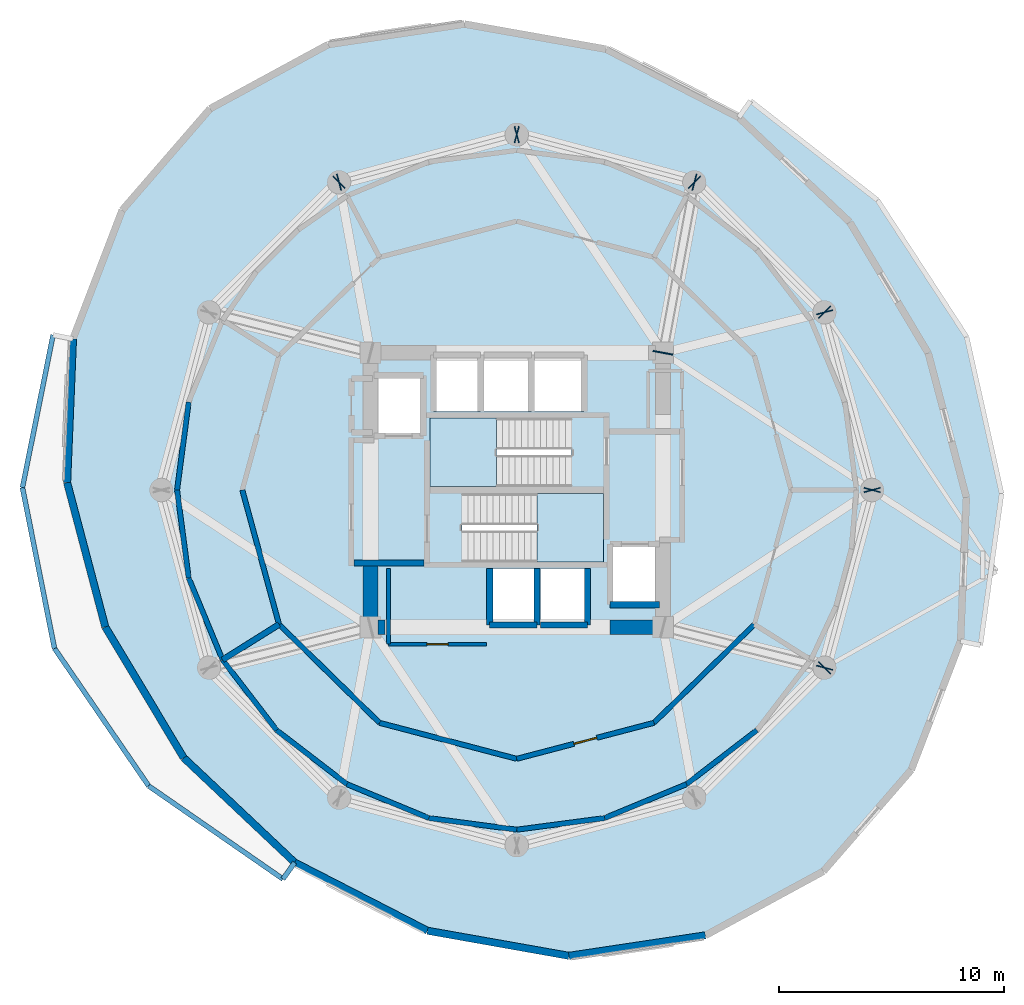
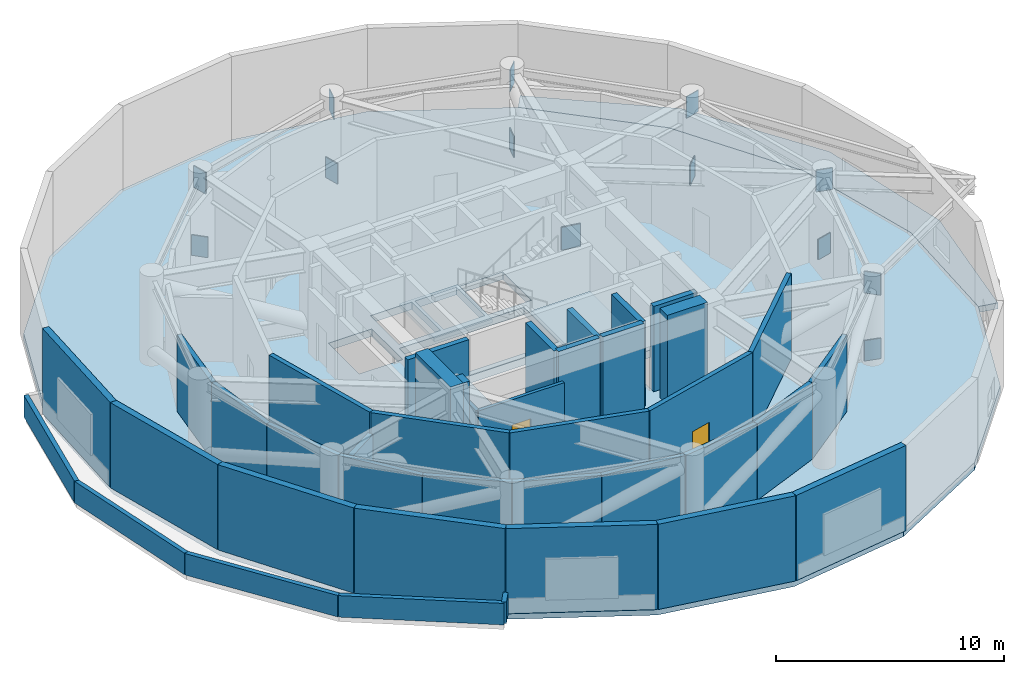
# One storey, part 2 of 7: 40 walls, 13 plates, 4 slabs, 2 doors, 2 openings, 2 elements without a shape of their own.
"""IFC4 building model written with IfcOpenShell, lengths in metres."""

from ifc_helpers import new_model, si_unit, direction, frame, frame_2d, origin, origin_2d, place, context, subcontext, project, spatial, polyline, rectangle, outline, extrude, material, layer, layer_set, type_object, element, fill, aggregate, save


model = new_model("IFC4")

# Units and contexts
model_context = context("Model", 3, precision=1e-05, world=origin(), true_north=direction((0.0, 1.0)))
body_context = subcontext(model_context, "Body", "Model", "MODEL_VIEW")
ifc_project = project(units=[si_unit("LENGTHUNIT", "METRE"), si_unit("AREAUNIT", "SQUARE_METRE"), si_unit("VOLUMEUNIT", "CUBIC_METRE"), si_unit("PLANEANGLEUNIT", "RADIAN"), si_unit("MASSUNIT", "GRAM", prefix="KILO")], contexts=[model_context])

# Site, building, storey
site_placement = place(None, origin())
site = spatial("IfcSite", under=ifc_project, at=site_placement, CompositionType="ELEMENT")
building_placement = place(site_placement, origin())
building = spatial("IfcBuilding", under=site, at=building_placement, Name="Solvirekh Grand Hotel", CompositionType="ELEMENT")
storey_placement = place(building_placement, frame((0.0, 0.0, 163.800048828125)))
storey = spatial("IfcBuildingStorey", under=building, at=storey_placement, Name="L42", CompositionType="ELEMENT", Elevation=163.800048828125)

# Plates
ifc_material_1 = material(Name="Steel S460", Category="steel")
ifc_layer_1 = layer(ifc_material_1, 0.044921875)
ifc_layer_set_1 = layer_set([ifc_layer_1], Name="Steel S460")
plate_type_1 = type_object("IfcPlateType", Name="GussetPlate_45", PredefinedType="USERDEFINED", material=ifc_layer_set_1)
for number, where, z_axis, x_axis, name in (
    (1, (15.800048828125, 0.0, -0.06103515625), (0.0, 0.0, 1.0), (-0.258819045103, 0.965925826289, 0.0), "L42 hollow-section node plate GP-L42-BELT-01A"),
    (2, (13.68310546875, 7.89990234375, 3.52099609375), (0.0, 0.0, 1.0), (-0.258819045103, 0.965925826289, 0.0), "L42 hollow-section node plate GP-L42-BELT-01B"),
    (3, (13.68310546875, 7.89990234375, -0.06103515625), (0.0, 0.0, 1.0), (-0.707106781187, 0.707106781187, 0.0), "L42 hollow-section node plate GP-L42-BELT-02A"),
    (4, (7.89990234375, 13.68310546875, 3.52099609375), (0.0, 0.0, 1.0), (-0.707106781187, 0.707106781187, 0.0), "L42 hollow-section node plate GP-L42-BELT-02B"),
    (5, (7.89990234375, 13.68310546875, -0.06103515625), (0.0, 0.0, 1.0), (-0.965925826289, 0.258819045103, 0.0), "L42 hollow-section node plate GP-L42-BELT-03A"),
    (6, (0.0, 15.800048828125, 3.52099609375), (0.0, 0.0, 1.0), (-0.965925826289, 0.258819045103, 0.0), "L42 hollow-section node plate GP-L42-BELT-03B"),
    (7, (0.0, 15.800048828125, -0.06103515625), (0.0, 0.0, 1.0), (-0.965925826289, -0.258819045103, 0.0), "L42 hollow-section node plate GP-L42-BELT-04A"),
    (8, (-7.89990234375, 13.68310546875, 3.52099609375), (0.0, 0.0, 1.0), (-0.965925826289, -0.258819045103, 0.0), "L42 hollow-section node plate GP-L42-BELT-04B"),
    (9, (-7.89990234375, 13.68310546875, -0.06103515625), (0.0, 0.0, 1.0), (-0.707106781187, -0.707106781187, 0.0), "L42 hollow-section node plate GP-L42-BELT-05A"),
    (10, (13.68310546875, -7.89990234375, 3.52099609375), (0.0, 0.0, 1.0), (0.707106781187, 0.707106781187, 0.0), "L42 hollow-section node plate GP-L42-BELT-11B"),
    (11, (13.68310546875, -7.89990234375, -0.06103515625), (0.0, 0.0, 1.0), (0.258819045103, 0.965925826289, 0.0), "L42 hollow-section node plate GP-L42-BELT-12A"),
    (12, (15.800048828125, 0.0, 3.52099609375), (0.0, 0.0, 1.0), (0.258819045103, 0.965925826289, 0.0), "L42 hollow-section node plate GP-L42-BELT-12B"),
):
    element("IfcPlate", number, at=place(storey_placement, frame(where, z_axis=z_axis, x_axis=x_axis)), inside=storey, type_object=plate_type_1, Name=name, ObjectType="GUSSET PLATE", PredefinedType="USERDEFINED", context=body_context, shape_type="SweptSolid", body=[
        extrude(rectangle(XDim=0.044921875, YDim=0.75, at=origin_2d()), origin(), (0.0, 0.0, 1.0), 1.14990234375),
    ])
ifc_layer_2 = layer(ifc_material_1, 0.06005859375)
ifc_layer_set_2 = layer_set([ifc_layer_2], Name="Steel S460")
plate_type_2 = type_object("IfcPlateType", Name="GussetPlate_60", PredefinedType="USERDEFINED", material=ifc_layer_set_2)
plate_placement = place(storey_placement, frame((6.5, 6.10009765625, -0.18603515625), z_axis=(0.0, 0.0, 1.0), x_axis=(0.181549039717, 0.983381892338, 0.0)))
element("IfcPlate", 13, at=plate_placement, inside=storey, type_object=plate_type_2, Name="L42 hollow-section node plate GP-L42-OUTR-03A", ObjectType="GUSSET PLATE", PredefinedType="USERDEFINED", context=body_context, shape_type="SweptSolid", body=[
    extrude(rectangle(XDim=0.06005859375, YDim=0.89990234375, at=origin_2d()), origin(), (0.0, 0.0, 1.0), 1.39990234375),
])

# Stair, slab
ifc_material_2 = material(Name="Concrete C40/50", Category="concrete")
stair_type = type_object("IfcStairType", Name="Stair_Core_1450", PredefinedType="HALF_TURN_STAIR", material=ifc_material_2)
stair_1_placement = place(storey_placement, origin())
stair_1 = element("IfcStair", 14, at=stair_1_placement, inside=storey, type_object=stair_type, Name="L42 Enclosed exit stair ST-1", PredefinedType="HALF_TURN_STAIR")
ifc_layer_3 = layer(ifc_material_2, 0.199951171875)
ifc_layer_set_3 = layer_set([ifc_layer_3], Name="Concrete C40/50")
slab_type_1 = type_object("IfcSlabType", Name="Landing_Stair_200", PredefinedType="LANDING", material=ifc_layer_set_3)
slab_1_placement = place(storey_placement, frame((0.0, 0.0, 2.199951171875)))
slab_1 = element("IfcSlab", 15, at=slab_1_placement, type_object=slab_type_1, Name="ST-1 landing 1", PredefinedType="LANDING", context=body_context, shape_type="SweptSolid", body=[
    extrude(outline(polyline([(0.909912109375, -3.199951171875), (3.85009765625, -3.199951171875), (3.85009765625, -0.14990234375), (0.909912109375, -0.14990234375), (0.909912109375, -3.199951171875)])), origin(), (0.0, 0.0, 1.0), 0.199951171875),
])
aggregate(stair_1, [slab_1])

stair_2_placement = place(storey_placement, origin())
stair_2 = element("IfcStair", 16, at=stair_2_placement, inside=storey, type_object=stair_type, Name="L42 Enclosed exit stair ST-2", PredefinedType="HALF_TURN_STAIR")
slab_2_placement = place(storey_placement, frame((0.0, 0.0, 2.199951171875)))
slab_2 = element("IfcSlab", 17, at=slab_2_placement, type_object=slab_type_1, Name="ST-2 landing 1", PredefinedType="LANDING", context=body_context, shape_type="SweptSolid", body=[
    extrude(outline(polyline([(-0.909912109375, 3.199951171875), (-3.85009765625, 3.199951171875), (-3.85009765625, 0.14990234375), (-0.909912109375, 0.14990234375), (-0.909912109375, 3.199951171875)])), origin(), (0.0, 0.0, 1.0), 0.199951171875),
])
aggregate(stair_2, [slab_2])

# Slabs
ifc_material_3 = material(Name="Concrete C50/60", Category="concrete")
ifc_layer_4 = layer(ifc_material_3, 0.320068359375)
ifc_layer_set_4 = layer_set([ifc_layer_4], Name="Concrete C50/60")
slab_type_2 = type_object("IfcSlabType", Name="RoofSlab_Podium_320", PredefinedType="ROOF", material=ifc_layer_set_4)
slab_3_placement = place(storey_placement, frame((0.0, 0.0, -0.320068359375)))
element("IfcSlab", 18, at=slab_3_placement, inside=storey, type_object=slab_type_2, Name="L42 setback mechanical north roof cap", PredefinedType="ROOF", context=body_context, shape_type="SweptSolid", body=[
    extrude(outline(polyline([(20.611083984375, -6.89404296875), (21.552001953125, -0.156005859375), (19.998046875, 6.805908203125), (16.031982421875, 12.889892578125), (10.39208984375, 17.294921875), (9.87109375, 16.56103515625), (14.806884765625, 11.905029296875), (18.2939453125, 6.0849609375), (19.989990234375, -0.33203125), (19.72900390625, -6.715087890625), (20.611083984375, -6.89404296875)])), origin(), (0.0, 0.0, 1.0), 0.320068359375),
])
ifc_layer_5 = layer(ifc_material_3, 0.39990234375)
ifc_layer_set_5 = layer_set([ifc_layer_5], Name="Concrete C50/60")
slab_type_3 = type_object("IfcSlabType", Name="Slab_Plant_400", PredefinedType="FLOOR", material=ifc_layer_set_5)
slab_4_placement = place(storey_placement, frame((0.0, 0.0, -0.400146484375)))
element("IfcSlab", 19, at=slab_4_placement, inside=storey, type_object=slab_type_3, Name="L42 structural floor slab", PredefinedType="FLOOR", context=body_context, shape_type="SweptSolid", body=[
    extrude(outline(polyline([(13.62890625, -16.950927734375), (17.537109375, -12.44189453125), (19.72900390625, -6.715087890625), (19.989990234375, -0.33203125), (18.2939453125, 6.0849609375), (14.806884765625, 11.905029296875), (9.87109375, 16.56103515625), (3.968994140625, 19.594970703125), (-2.322021484375, 20.7109375), (-8.385986328125, 19.800048828125), (-13.62890625, 16.950927734375), (-17.537109375, 12.44189453125), (-19.72900390625, 6.715087890625), (-19.989990234375, 0.33203125), (-18.2939453125, -6.0849609375), (-14.806884765625, -11.905029296875), (-9.87109375, -16.56103515625), (-3.968994140625, -19.594970703125), (2.322021484375, -20.7109375), (8.385986328125, -19.800048828125), (13.62890625, -16.950927734375)]), holes=[polyline([(-2.444091796875, -0.14990234375), (3.85009765625, -0.14990234375), (3.85009765625, -3.199951171875), (-2.444091796875, -3.199951171875), (-2.444091796875, -0.14990234375)]), polyline([(2.444091796875, 0.14990234375), (-3.85009765625, 0.14990234375), (-3.85009765625, 3.199951171875), (2.444091796875, 3.199951171875), (2.444091796875, 0.14990234375)]), polyline([(-1.199951171875, -3.5), (0.89990234375, -3.5), (0.89990234375, -6.0), (-1.199951171875, -6.0), (-1.199951171875, -3.5)]), polyline([(1.050048828125, -3.5), (3.14990234375, -3.5), (3.14990234375, -6.0), (1.050048828125, -6.0), (1.050048828125, -3.5)]), polyline([(-3.699951171875, 6.0), (-1.60009765625, 6.0), (-1.60009765625, 3.5), (-3.699951171875, 3.5), (-3.699951171875, 6.0)]), polyline([(-1.449951171875, 6.0), (0.64990234375, 6.0), (0.64990234375, 3.5), (-1.449951171875, 3.5), (-1.449951171875, 6.0)]), polyline([(0.800048828125, 6.0), (3.0, 6.0), (3.0, 3.5), (0.800048828125, 3.5), (0.800048828125, 6.0)]), polyline([(-6.35009765625, 5.10009765625), (-4.14990234375, 5.10009765625), (-4.14990234375, 2.39990234375), (-6.35009765625, 2.39990234375), (-6.35009765625, 5.10009765625)]), polyline([(4.14990234375, -2.39990234375), (6.35009765625, -2.39990234375), (6.35009765625, -5.10009765625), (4.14990234375, -5.10009765625), (4.14990234375, -2.39990234375)])]), origin(), (0.0, 0.0, 1.0), 0.400146484375),
])

# Walls
ifc_layer_6 = layer(ifc_material_2, 0.280029296875)
ifc_layer_set_6 = layer_set([ifc_layer_6], Name="Concrete C40/50")
wall_type_1 = type_object("IfcWallType", Name="CoreShaftWall_RC280", PredefinedType="SOLIDWALL", material=ifc_layer_set_6)
wall_1_placement = place(storey_placement, frame((-1.199951171875, -6.0, 0.0), z_axis=(0.0, 0.0, 1.0), x_axis=(1.0, 0.0, 0.0)))
element("IfcWall", 20, at=wall_1_placement, inside=storey, type_object=wall_type_1, Name="L42 MP-1 hoistway S wall", PredefinedType="SOLIDWALL", context=body_context, shape_type="SweptSolid", body=[
    extrude(rectangle(XDim=2.099853515625, YDim=0.280029296875, at=frame_2d((1.0498046875, 0.0))), origin(), (0.0, 0.0, 1.0), 4.56005859375),
])
for number, where, z_axis, x_axis, name in (
    (21, (-1.199951171875, -3.5, 0.0), (0.0, 0.0, 1.0), (0.0, -1.0, 0.0), "L42 MP-1 hoistway W wall"),
    (22, (0.89990234375, -6.0, 0.0), (0.0, 0.0, 1.0), (0.0, 1.0, 0.0), "L42 MP-1 hoistway E wall"),
):
    element("IfcWall", number, at=place(storey_placement, frame(where, z_axis=z_axis, x_axis=x_axis)), inside=storey, type_object=wall_type_1, Name=name, PredefinedType="SOLIDWALL", context=body_context, shape_type="SweptSolid", body=[
        extrude(rectangle(XDim=2.5, YDim=0.280029296875, at=frame_2d((1.25, 0.0))), origin(), (0.0, 0.0, 1.0), 4.56005859375),
    ])
wall_2_placement = place(storey_placement, frame((1.050048828125, -6.0, 0.0), z_axis=(0.0, 0.0, 1.0), x_axis=(1.0, 0.0, 0.0)))
element("IfcWall", 23, at=wall_2_placement, inside=storey, type_object=wall_type_1, Name="L42 MP-2 hoistway S wall", PredefinedType="SOLIDWALL", context=body_context, shape_type="SweptSolid", body=[
    extrude(rectangle(XDim=2.099853515625, YDim=0.280029296875, at=frame_2d((1.0498046875, 0.0))), origin(), (0.0, 0.0, 1.0), 4.56005859375),
])
wall_3_placement = place(storey_placement, frame((3.14990234375, -6.0, 0.0), z_axis=(0.0, 0.0, 1.0), x_axis=(0.0, 1.0, 0.0)))
element("IfcWall", 24, at=wall_3_placement, inside=storey, type_object=wall_type_1, Name="L42 MP-2 hoistway E wall", PredefinedType="SOLIDWALL", context=body_context, shape_type="SweptSolid", body=[
    extrude(rectangle(XDim=2.5, YDim=0.280029296875, at=frame_2d((1.25, 0.0))), origin(), (0.0, 0.0, 1.0), 4.56005859375),
])
wall_4_placement = place(storey_placement, frame((4.14990234375, -5.10009765625, 0.0), z_axis=(0.0, 0.0, 1.0), x_axis=(1.0, 0.0, 0.0)))
element("IfcWall", 25, at=wall_4_placement, inside=storey, type_object=wall_type_1, Name="L42 FL-2 hoistway S wall", PredefinedType="SOLIDWALL", context=body_context, shape_type="SweptSolid", body=[
    extrude(rectangle(XDim=2.2001953125, YDim=0.280029296875, at=frame_2d((1.10009765625, 0.0))), origin(), (0.0, 0.0, 1.0), 4.56005859375),
])
ifc_layer_7 = layer(ifc_material_3, 0.64990234375)
ifc_layer_set_7 = layer_set([ifc_layer_7], Name="Concrete C50/60")
wall_type_2 = type_object("IfcWallType", Name="CoreWall_RC650", PredefinedType="SHEAR", material=ifc_layer_set_7)
wall_5_placement = place(storey_placement, frame((-6.175048828125, -6.10009765625, 0.0), z_axis=(0.0, 0.0, 1.0), x_axis=(1.0, 0.0, 0.0)))
element("IfcWall", 26, at=wall_5_placement, inside=storey, type_object=wall_type_2, Name="L42 core corner shear wall SW-S", PredefinedType="SHEAR", context=body_context, shape_type="SweptSolid", body=[
    extrude(rectangle(XDim=0.324951171875, YDim=0.64990234375, at=frame_2d((0.16259765625, 0.0))), origin(), (0.0, 0.0, 1.0), 4.800048828125),
])
wall_6_placement = place(storey_placement, frame((4.14990234375, -6.10009765625, 0.0), z_axis=(0.0, 0.0, 1.0), x_axis=(1.0, 0.0, 0.0)))
element("IfcWall", 27, at=wall_6_placement, inside=storey, type_object=wall_type_2, Name="L42 core corner shear wall SE-S", PredefinedType="SHEAR", context=body_context, shape_type="SweptSolid", body=[
    extrude(rectangle(XDim=2.025146484375, YDim=0.64990234375, at=frame_2d((1.0126953125, 0.0))), origin(), (0.0, 0.0, 1.0), 4.800048828125),
])
wall_7_placement = place(storey_placement, frame((-6.5, -6.425048828125, 0.0), z_axis=(0.0, 0.0, 1.0), x_axis=(0.0, 1.0, 0.0)))
element("IfcWall", 28, at=wall_7_placement, inside=storey, type_object=wall_type_2, Name="L42 core corner shear wall WS-W", PredefinedType="SHEAR", context=body_context, shape_type="SweptSolid", body=[
    extrude(rectangle(XDim=3.074951171875, YDim=0.64990234375, at=frame_2d((1.53759765625, 0.0))), origin(), (0.0, 0.0, 1.0), 4.800048828125),
])
ifc_material_4 = material(Name="Precast concrete C45/55", Category="concrete")
ifc_layer_8 = layer(ifc_material_4, 0.320068359375)
ifc_layer_set_8 = layer_set([ifc_layer_8], Name="Precast concrete C45/55")
wall_type_3 = type_object("IfcWallType", Name="ExtLobbyWall_RC320", PredefinedType="SOLIDWALL", material=ifc_layer_set_8)
wall_8_placement = place(storey_placement, frame((-19.989990234375, 0.33203125, 0.0), z_axis=(0.0, 0.0, 1.0), x_axis=(0.040853224497, 0.999165158544, 0.0)))
element("IfcWall", 29, at=wall_8_placement, inside=storey, type_object=wall_type_3, Name="L42 exterior structural wall chord 13", PredefinedType="SOLIDWALL", context=body_context, shape_type="SweptSolid", body=[
    extrude(rectangle(XDim=6.388427734375, YDim=0.320068359375, at=frame_2d((3.1943359375, 0.0))), origin(), (0.0, 0.0, 1.0), 4.56005859375),
])
wall_9_placement = place(storey_placement, frame((-18.2939453125, -6.0849609375, 0.0), z_axis=(0.0, 0.0, 1.0), x_axis=(-0.255530601314, 0.966800968034, 0.0)))
element("IfcWall", 30, at=wall_9_placement, inside=storey, type_object=wall_type_3, Name="L42 exterior structural wall chord 14", PredefinedType="SOLIDWALL", context=body_context, shape_type="SweptSolid", body=[
    extrude(rectangle(XDim=6.637451171875, YDim=0.320068359375, at=frame_2d((3.31884765625, 0.0))), origin(), (0.0, 0.0, 1.0), 4.56005859375),
])
wall_10_placement = place(storey_placement, frame((-14.806884765625, -11.905029296875, 0.0), z_axis=(0.0, 0.0, 1.0), x_axis=(-0.513955897255, 0.857816609583, 0.0)))
element("IfcWall", 31, at=wall_10_placement, inside=storey, type_object=wall_type_3, Name="L42 exterior structural wall chord 15", PredefinedType="SOLIDWALL", context=body_context, shape_type="SweptSolid", body=[
    extrude(rectangle(XDim=6.78466796875, YDim=0.320068359375, at=frame_2d((3.392333984375, 0.0))), origin(), (0.0, 0.0, 1.0), 4.56005859375),
])
wall_11_placement = place(storey_placement, frame((-9.87109375, -16.56103515625, 0.0), z_axis=(0.0, 0.0, 1.0), x_axis=(-0.727423133158, 0.686189176063, 0.0)))
element("IfcWall", 32, at=wall_11_placement, inside=storey, type_object=wall_type_3, Name="L42 exterior structural wall chord 16", PredefinedType="SOLIDWALL", context=body_context, shape_type="SweptSolid", body=[
    extrude(rectangle(XDim=6.785400390625, YDim=0.320068359375, at=frame_2d((3.392578125, 0.0))), origin(), (0.0, 0.0, 1.0), 4.56005859375),
])
wall_12_placement = place(storey_placement, frame((-3.968994140625, -19.594970703125, 0.0), z_axis=(0.0, 0.0, 1.0), x_axis=(-0.88937542422, 0.457177596558, 0.0)))
element("IfcWall", 33, at=wall_12_placement, inside=storey, type_object=wall_type_3, Name="L42 exterior structural wall chord 17", PredefinedType="SOLIDWALL", context=body_context, shape_type="SweptSolid", body=[
    extrude(rectangle(XDim=6.63623046875, YDim=0.320068359375, at=frame_2d((3.318115234375, 0.0))), origin(), (0.0, 0.0, 1.0), 4.56005859375),
])
wall_13_placement = place(storey_placement, frame((2.322021484375, -20.7109375, 0.0), z_axis=(0.0, 0.0, 1.0), x_axis=(-0.984628142058, 0.174663739419, 0.0)))
element("IfcWall", 34, at=wall_13_placement, inside=storey, type_object=wall_type_3, Name="L42 exterior structural wall chord 18", PredefinedType="SOLIDWALL", context=body_context, shape_type="SweptSolid", body=[
    extrude(rectangle(XDim=6.38916015625, YDim=0.320068359375, at=frame_2d((3.194580078125, 0.0))), origin(), (0.0, 0.0, 1.0), 4.56005859375),
])
wall_14_placement = place(storey_placement, frame((8.385986328125, -19.800048828125, 0.0), z_axis=(0.0, 0.0, 1.0), x_axis=(-0.988905375543, -0.14854682165, 0.0)))
element("IfcWall", 35, at=wall_14_placement, inside=storey, type_object=wall_type_3, Name="L42 exterior structural wall chord 19", PredefinedType="SOLIDWALL", context=body_context, shape_type="SweptSolid", body=[
    extrude(rectangle(XDim=6.132080078125, YDim=0.320068359375, at=frame_2d((3.06591796875, 0.0))), origin(), (0.0, 0.0, 1.0), 4.56005859375),
])
ifc_layer_9 = layer(ifc_material_4, 0.219970703125)
ifc_layer_set_9 = layer_set([ifc_layer_9], Name="Precast concrete C45/55")
wall_type_4 = type_object("IfcWallType", Name="ExtParapet_RC220", PredefinedType="PARAPET", material=ifc_layer_set_9)
wall_15_placement = place(storey_placement, frame((-20.611083984375, 6.89404296875, 0.0), z_axis=(0.0, 0.0, 1.0), x_axis=(-0.196950496649, -0.980413434154, 0.0)))
element("IfcWall", 36, at=wall_15_placement, inside=storey, type_object=wall_type_4, Name="L42 mechanical setback parapet terr 2", PredefinedType="PARAPET", context=body_context, shape_type="SweptSolid", body=[
    extrude(rectangle(XDim=6.920654296875, YDim=0.219970703125, at=frame_2d((3.46044921875, 0.0))), origin(), (0.0, 0.0, 1.0), 1.14990234375),
])
wall_16_placement = place(storey_placement, frame((-21.97412109375, 0.10888671875, 0.0), z_axis=(0.0, 0.0, 1.0), x_axis=(0.195362493118, -0.980731102945, 0.0)))
element("IfcWall", 37, at=wall_16_placement, inside=storey, type_object=wall_type_4, Name="L42 mechanical setback parapet terr 3", PredefinedType="PARAPET", context=body_context, shape_type="SweptSolid", body=[
    extrude(rectangle(XDim=7.289306640625, YDim=0.219970703125, at=frame_2d((3.64453125, 0.0))), origin(), (0.0, 0.0, 1.0), 1.14990234375),
])
wall_17_placement = place(storey_placement, frame((-20.550048828125, -7.0400390625, 0.0), z_axis=(0.0, 0.0, 1.0), x_axis=(0.564904711315, -0.825156147123, 0.0)))
element("IfcWall", 38, at=wall_17_placement, inside=storey, type_object=wall_type_4, Name="L42 mechanical setback parapet terr 4", PredefinedType="PARAPET", context=body_context, shape_type="SweptSolid", body=[
    extrude(rectangle(XDim=7.411865234375, YDim=0.219970703125, at=frame_2d((3.7060546875, 0.0))), origin(), (0.0, 0.0, 1.0), 1.14990234375),
])
wall_18_placement = place(storey_placement, frame((-16.363037109375, -13.156005859375, 0.0), z_axis=(0.0, 0.0, 1.0), x_axis=(0.821858158763, -0.569692168521, 0.0)))
element("IfcWall", 39, at=wall_18_placement, inside=storey, type_object=wall_type_4, Name="L42 mechanical setback parapet terr 5", PredefinedType="PARAPET", context=body_context, shape_type="SweptSolid", body=[
    extrude(rectangle(XDim=7.26513671875, YDim=0.219970703125, at=frame_2d((3.632568359375, 0.0))), origin(), (0.0, 0.0, 1.0), 1.14990234375),
])
wall_19_placement = place(storey_placement, frame((-10.39208984375, -17.294921875, 0.0), z_axis=(0.0, 0.0, 1.0), x_axis=(0.578875027389, 0.815416275694, 0.0)))
element("IfcWall", 40, at=wall_19_placement, inside=storey, type_object=wall_type_4, Name="L42 mechanical setback parapet terr 6", PredefinedType="PARAPET", context=body_context, shape_type="SweptSolid", body=[
    extrude(rectangle(XDim=0.89990234375, YDim=0.219970703125, at=frame_2d((0.449951171875, 0.0))), origin(), (0.0, 0.0, 1.0), 1.14990234375),
])

# Wall, opening, door
ifc_material_5 = material(Name="Acoustic Gypsum Partition Assembly")
ifc_layer_10 = layer(ifc_material_5, 0.1650390625)
ifc_layer_set_10 = layer_set([ifc_layer_10], Name="Acoustic Gypsum Partition Assembly")
wall_type_5 = type_object("IfcWallType", Name="Part_BOH_165", PredefinedType="PARTITIONING", material=ifc_layer_set_10)
wall_20_placement = place(storey_placement, frame((-5.699951171875, -6.85009765625, 0.0), z_axis=(0.0, 0.0, 1.0), x_axis=(1.0, 0.0, 0.0)))
wall_20 = element("IfcWall", 41, at=wall_20_placement, inside=storey, type_object=wall_type_5, Name="L42 Mid-Zone Housekeeping Linen Room wall 1", PredefinedType="PARTITIONING", context=body_context, shape_type="SweptSolid", body=[
    extrude(rectangle(XDim=4.349853515625, YDim=0.1650390625, at=frame_2d((2.1748046875, 0.0))), origin(), (0.0, 0.0, 1.0), 3.445068359375),
])
opening_1_placement = place(wall_20_placement, frame((1.699951171875, 0.0, 0.0)))
opening_1 = element("IfcOpeningElement", 42, at=opening_1_placement, cuts=wall_20, Name="Opening D10", PredefinedType="OPENING", context=body_context, shape_type="SweptSolid", body=[
    extrude(rectangle(XDim=0.949951171875, YDim=2.10009765625, at=frame_2d((0.47509765625, 1.050048828125))), frame((0.0, 0.092529296875, 0.0), z_axis=(0.0, -1.0, 0.0), x_axis=(1.0, 0.0, 0.0)), (0.0, 0.0, 1.0), 0.18505859375),
])
ifc_material_6 = material(Name="Anodized Bronze Aluminium 6063-T6", Category="aluminium")
door_type_1 = type_object("IfcDoorType", Name="Door_RoomInt_950X2100", OperationType="NOTDEFINED", PredefinedType="DOOR", material=ifc_material_6)
door_1_placement = place(opening_1_placement, origin())
door_1 = element("IfcDoor", 43, at=door_1_placement, inside=storey, type_object=door_type_1, Name="L42 Mid-Zone Housekeeping Linen Room door", OperationType="SINGLE_SWING_RIGHT", OverallHeight=2.10009765625, OverallWidth=0.949951171875, PredefinedType="DOOR", context=body_context, shape_type="SweptSolid", body=[
    extrude(rectangle(XDim=0.949951171875, YDim=2.10009765625, at=frame_2d((0.47509765625, 1.050048828125))), frame((0.0, 0.02490234375, 0.0), z_axis=(0.0, -1.0, 0.0), x_axis=(1.0, 0.0, 0.0)), (0.0, 0.0, 1.0), 0.050048828125),
])
fill(opening_1, door_1)

# Walls
wall_21_placement = place(storey_placement, frame((-5.699951171875, -3.5, 0.0), z_axis=(0.0, 0.0, 1.0), x_axis=(0.0, -1.0, 0.0)))
element("IfcWall", 44, at=wall_21_placement, inside=storey, type_object=wall_type_5, Name="L42 Mid-Zone Housekeeping Linen Room wall 4", PredefinedType="PARTITIONING", context=body_context, shape_type="SweptSolid", body=[
    extrude(rectangle(XDim=3.35009765625, YDim=0.1650390625, at=frame_2d((1.675048828125, 0.0))), origin(), (0.0, 0.0, 1.0), 3.445068359375),
])
ifc_layer_11 = layer(ifc_material_5, 0.260009765625)
ifc_layer_set_11 = layer_set([ifc_layer_11], Name="Acoustic Gypsum Partition Assembly")
wall_type_6 = type_object("IfcWallType", Name="Part_LobbyFF_260", PredefinedType="PARTITIONING", material=ifc_layer_set_11)
wall_22_placement = place(storey_placement, frame((-7.22509765625, -3.25, 0.0), z_axis=(0.0, 0.0, 1.0), x_axis=(1.0, 0.0, 0.0)))
element("IfcWall", 45, at=wall_22_placement, inside=storey, type_object=wall_type_6, Name="L42 west firefighting lobby south partition", PredefinedType="PARTITIONING", context=body_context, shape_type="SweptSolid", body=[
    extrude(rectangle(XDim=3.09521484375, YDim=0.260009765625, at=frame_2d((1.547607421875, 0.0))), origin(), (0.0, 0.0, 1.0), 4.56005859375),
])
wall_23_placement = place(storey_placement, frame((-10.56591796875, -5.97509765625, 0.0), z_axis=(0.0, 0.0, 1.0), x_axis=(-0.84715040899, -0.531353163675, 0.0)))
element("IfcWall", 46, at=wall_23_placement, inside=storey, type_object=wall_type_6, Name="L42 radial demising wall 8", PredefinedType="PARTITIONING", context=body_context, shape_type="SweptSolid", body=[
    extrude(rectangle(XDim=2.964111328125, YDim=0.260009765625, at=frame_2d((1.48193359375, 0.0))), origin(), (0.0, 0.0, 1.0), 3.427001953125),
])
ifc_layer_12 = layer(ifc_material_4, 0.22509765625)
ifc_layer_set_12 = layer_set([ifc_layer_12], Name="Precast concrete C45/55")
wall_type_7 = type_object("IfcWallType", Name="Part_Plant_225", PredefinedType="PARTITIONING", material=ifc_layer_set_12)
wall_24_placement = place(storey_placement, frame((-12.199951171875, 0.0, 0.0), z_axis=(0.0, 0.0, 1.0), x_axis=(0.263787657435, -0.964580775148, 0.0)))
element("IfcWall", 47, at=wall_24_placement, inside=storey, type_object=wall_type_7, Name="L42 West Chilled-Water Plant Room corridor wall 2", PredefinedType="PARTITIONING", context=body_context, shape_type="SweptSolid", body=[
    extrude(rectangle(XDim=6.194580078125, YDim=0.22509765625, at=frame_2d((3.09716796875, 0.0))), origin(), (0.0, 0.0, 1.0), 4.56005859375),
])
for number, where, z_axis, x_axis, name in (
    (48, (-14.5849609375, 3.907958984375, 0.0), (0.0, 0.0, 1.0), (-0.130686825008, -0.991423700427, 0.0), "L42 West Chilled-Water Plant Room perimeter acoustic baffle wall 2"),
    (49, (-15.10009765625, 0.0, 0.0), (0.0, 0.0, 1.0), (0.130686825008, -0.991423700427, 0.0), "L42 West Chilled-Water Plant Room perimeter acoustic baffle wall 3"),
):
    element("IfcWall", number, at=place(storey_placement, frame(where, z_axis=z_axis, x_axis=x_axis)), inside=storey, type_object=wall_type_7, Name=name, PredefinedType="PARTITIONING", context=body_context, shape_type="SweptSolid", body=[
        extrude(rectangle(XDim=3.941650390625, YDim=0.22509765625, at=frame_2d((1.970703125, 0.0))), origin(), (0.0, 0.0, 1.0), 4.0888671875),
    ])
wall_25_placement = place(storey_placement, frame((-14.5849609375, -3.907958984375, 0.0), z_axis=(0.0, 0.0, 1.0), x_axis=(0.382565124064, -0.92392852854, 0.0)))
element("IfcWall", 50, at=wall_25_placement, inside=storey, type_object=wall_type_7, Name="L42 West Chilled-Water Plant Room perimeter acoustic baffle wall 4", PredefinedType="PARTITIONING", context=body_context, shape_type="SweptSolid", body=[
    extrude(rectangle(XDim=3.94189453125, YDim=0.22509765625, at=frame_2d((1.970947265625, 0.0))), origin(), (0.0, 0.0, 1.0), 4.0888671875),
])

# Wall, opening, door
wall_26_placement = place(storey_placement, frame((0.0, -11.949951171875, 0.0), z_axis=(0.0, 0.0, 1.0), x_axis=(0.967248312895, 0.253832033445, 0.0)))
wall_26 = element("IfcWall", 51, at=wall_26_placement, inside=storey, type_object=wall_type_7, Name="L42 Pressurized Occupant Refuge Area corridor wall", PredefinedType="PARTITIONING", context=body_context, shape_type="SweptSolid", body=[
    extrude(rectangle(XDim=6.306640625, YDim=0.22509765625, at=frame_2d((3.1533203125, 0.0))), origin(), (0.0, 0.0, 1.0), 4.56005859375),
])
opening_2_placement = place(wall_26_placement, frame((2.6279296875, 0.0, 0.0)))
opening_2 = element("IfcOpeningElement", 52, at=opening_2_placement, cuts=wall_26, Name="Opening D12", PredefinedType="OPENING", context=body_context, shape_type="SweptSolid", body=[
    extrude(rectangle(XDim=1.050048828125, YDim=2.14990234375, at=frame_2d((0.52490234375, 1.074951171875))), frame((0.0, 0.12255859375, 0.0), z_axis=(0.0, -1.0, 0.0), x_axis=(1.0, 0.0, 0.0)), (0.0, 0.0, 1.0), 0.2451171875),
])
ifc_material_7 = material(Name="Fire-Rated Steel Door Assembly", Category="steel")
door_type_2 = type_object("IfcDoorType", Name="Door_PlantBOH_1050X2150", OperationType="NOTDEFINED", PredefinedType="DOOR", material=ifc_material_7)
door_2_placement = place(opening_2_placement, origin())
door_2 = element("IfcDoor", 53, at=door_2_placement, inside=storey, type_object=door_type_2, Name="L42 Pressurized Occupant Refuge Area entrance door", OperationType="SINGLE_SWING_LEFT", OverallHeight=2.14990234375, OverallWidth=1.050048828125, PredefinedType="DOOR", context=body_context, shape_type="SweptSolid", body=[
    extrude(rectangle(XDim=1.050048828125, YDim=2.14990234375, at=frame_2d((0.52490234375, 1.074951171875))), frame((0.0, 0.02490234375, 0.0), z_axis=(0.0, -1.0, 0.0), x_axis=(1.0, 0.0, 0.0)), (0.0, 0.0, 1.0), 0.050048828125),
])
fill(opening_2, door_2)

# Walls
wall_27_placement = place(storey_placement, frame((-10.56591796875, -5.97509765625, 0.0), z_axis=(0.0, 0.0, 1.0), x_axis=(0.714411174131, -0.699726142342, 0.0)))
element("IfcWall", 54, at=wall_27_placement, inside=storey, type_object=wall_type_7, Name="L42 Pressurized Occupant Refuge Area corridor wall 2", PredefinedType="PARTITIONING", context=body_context, shape_type="SweptSolid", body=[
    extrude(rectangle(XDim=6.2509765625, YDim=0.22509765625, at=frame_2d((3.12548828125, 0.0))), origin(), (0.0, 0.0, 1.0), 4.56005859375),
])
wall_28_placement = place(storey_placement, frame((-6.10009765625, -10.34912109375, 0.0), z_axis=(0.0, 0.0, 1.0), x_axis=(0.967248312895, -0.253832033445, 0.0)))
element("IfcWall", 55, at=wall_28_placement, inside=storey, type_object=wall_type_7, Name="L42 Pressurized Occupant Refuge Area corridor wall 3", PredefinedType="PARTITIONING", context=body_context, shape_type="SweptSolid", body=[
    extrude(rectangle(XDim=6.306640625, YDim=0.22509765625, at=frame_2d((3.1533203125, 0.0))), origin(), (0.0, 0.0, 1.0), 4.56005859375),
])
wall_29_placement = place(storey_placement, frame((6.10009765625, -10.34912109375, 0.0), z_axis=(0.0, 0.0, 1.0), x_axis=(0.714411174131, 0.699726142342, 0.0)))
element("IfcWall", 56, at=wall_29_placement, inside=storey, type_object=wall_type_7, Name="L42 Pressurized Occupant Refuge Area corridor wall 4", PredefinedType="PARTITIONING", context=body_context, shape_type="SweptSolid", body=[
    extrude(rectangle(XDim=6.2509765625, YDim=0.22509765625, at=frame_2d((3.12548828125, 0.0))), origin(), (0.0, 0.0, 1.0), 4.56005859375),
])
for number, where, z_axis, x_axis, name in (
    (57, (-13.076904296875, -7.550048828125, 0.0), (0.0, 0.0, 1.0), (0.608842353881, -0.793291237895, 0.0), "L42 Pressurized Occupant Refuge Area perimeter acoustic baffle wall 1"),
    (58, (-10.677001953125, -10.677001953125, 0.0), (0.0, 0.0, 1.0), (0.793291237895, -0.608842353881, 0.0), "L42 Pressurized Occupant Refuge Area perimeter acoustic baffle wall 2"),
):
    element("IfcWall", number, at=place(storey_placement, frame(where, z_axis=z_axis, x_axis=x_axis)), inside=storey, type_object=wall_type_7, Name=name, PredefinedType="PARTITIONING", context=body_context, shape_type="SweptSolid", body=[
        extrude(rectangle(XDim=3.941650390625, YDim=0.22509765625, at=frame_2d((1.970703125, 0.0))), origin(), (0.0, 0.0, 1.0), 4.0888671875),
    ])
wall_30_placement = place(storey_placement, frame((-7.550048828125, -13.076904296875, 0.0), z_axis=(0.0, 0.0, 1.0), x_axis=(0.92392852854, -0.382565124064, 0.0)))
element("IfcWall", 59, at=wall_30_placement, inside=storey, type_object=wall_type_7, Name="L42 Pressurized Occupant Refuge Area perimeter acoustic baffle wall 3", PredefinedType="PARTITIONING", context=body_context, shape_type="SweptSolid", body=[
    extrude(rectangle(XDim=3.94189453125, YDim=0.22509765625, at=frame_2d((1.970947265625, 0.0))), origin(), (0.0, 0.0, 1.0), 4.0888671875),
])
for number, where, z_axis, x_axis, name in (
    (60, (-3.907958984375, -14.5849609375, 0.0), (0.0, 0.0, 1.0), (0.991423700427, -0.130686825008, 0.0), "L42 Pressurized Occupant Refuge Area perimeter acoustic baffle wall 4"),
    (61, (0.0, -15.10009765625, 0.0), (0.0, 0.0, 1.0), (0.991423700427, 0.130686825008, 0.0), "L42 Pressurized Occupant Refuge Area perimeter acoustic baffle wall 5"),
):
    element("IfcWall", number, at=place(storey_placement, frame(where, z_axis=z_axis, x_axis=x_axis)), inside=storey, type_object=wall_type_7, Name=name, PredefinedType="PARTITIONING", context=body_context, shape_type="SweptSolid", body=[
        extrude(rectangle(XDim=3.941650390625, YDim=0.22509765625, at=frame_2d((1.970703125, 0.0))), origin(), (0.0, 0.0, 1.0), 4.0888671875),
    ])
wall_31_placement = place(storey_placement, frame((3.907958984375, -14.5849609375, 0.0), z_axis=(0.0, 0.0, 1.0), x_axis=(0.92392852854, 0.382565124064, 0.0)))
element("IfcWall", 62, at=wall_31_placement, inside=storey, type_object=wall_type_7, Name="L42 Pressurized Occupant Refuge Area perimeter acoustic baffle wall 6", PredefinedType="PARTITIONING", context=body_context, shape_type="SweptSolid", body=[
    extrude(rectangle(XDim=3.94189453125, YDim=0.22509765625, at=frame_2d((1.970947265625, 0.0))), origin(), (0.0, 0.0, 1.0), 4.0888671875),
])
wall_32_placement = place(storey_placement, frame((7.550048828125, -13.076904296875, 0.0), z_axis=(0.0, 0.0, 1.0), x_axis=(0.793291237895, 0.608842353881, 0.0)))
element("IfcWall", 63, at=wall_32_placement, inside=storey, type_object=wall_type_7, Name="L42 Pressurized Occupant Refuge Area perimeter acoustic baffle wall 7", PredefinedType="PARTITIONING", context=body_context, shape_type="SweptSolid", body=[
    extrude(rectangle(XDim=3.941650390625, YDim=0.22509765625, at=frame_2d((1.970703125, 0.0))), origin(), (0.0, 0.0, 1.0), 4.0888671875),
])

save(model, "model.ifc")
